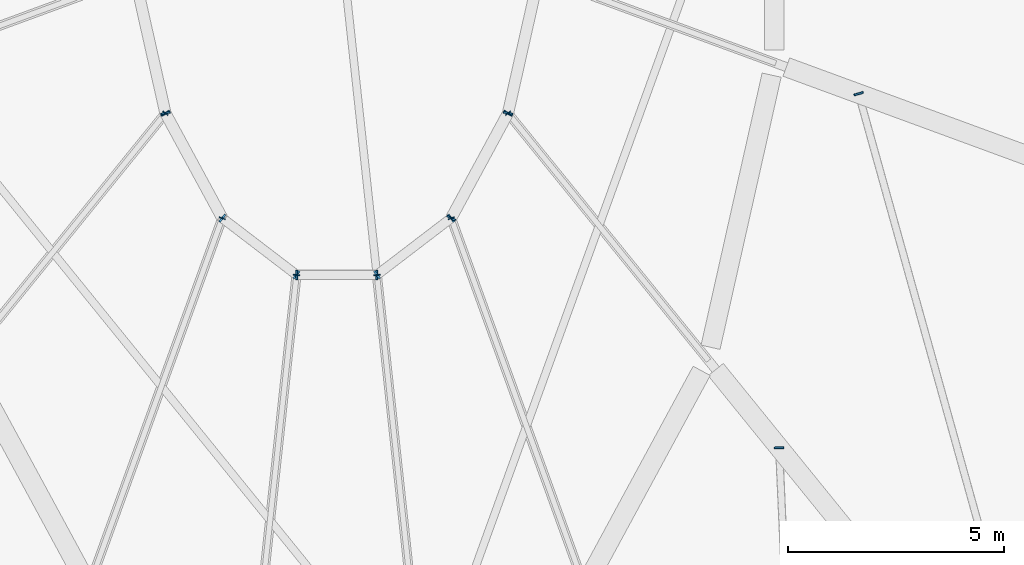
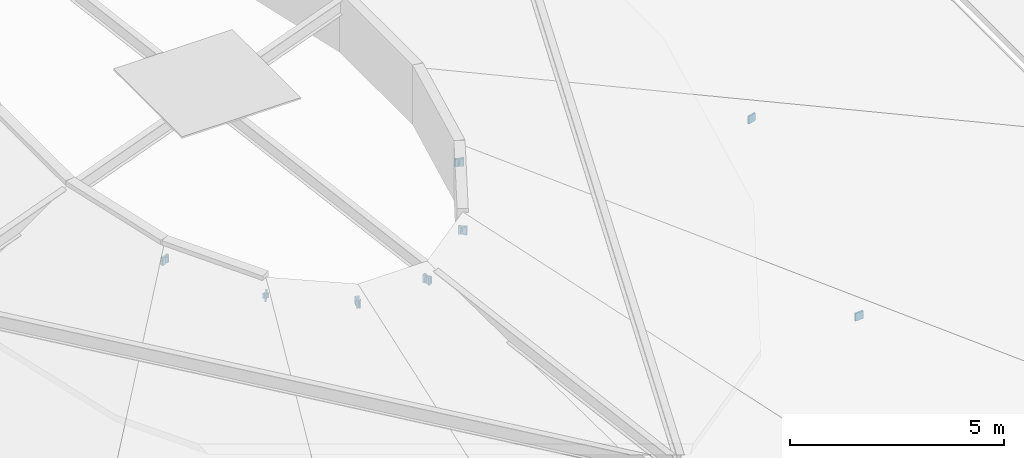
# One storey, part 24 of 39: 19 plates.
"""IFC4 building model written with IfcOpenShell, lengths in metres."""

from ifc_helpers import new_model, si_unit, direction, frame, origin, origin_2d, place, context, subcontext, project, spatial, rectangle, extrude, material, layer, layer_set, type_object, element, save


model = new_model("IFC4")

# Units and contexts
model_context = context("Model", 3, precision=1e-05, world=origin(), true_north=direction((0.0, 1.0)))
body_context = subcontext(model_context, "Body", "Model", "MODEL_VIEW")
ifc_project = project(units=[si_unit("LENGTHUNIT", "METRE"), si_unit("AREAUNIT", "SQUARE_METRE"), si_unit("VOLUMEUNIT", "CUBIC_METRE"), si_unit("PLANEANGLEUNIT", "RADIAN"), si_unit("MASSUNIT", "GRAM", prefix="KILO")], contexts=[model_context])

# Site, building, storey
site_placement = place(None, origin())
site = spatial("IfcSite", under=ifc_project, at=site_placement, CompositionType="ELEMENT")
building_placement = place(site_placement, origin())
building = spatial("IfcBuilding", under=site, at=building_placement, Name="Corvandel Quay Wholesale Market", CompositionType="ELEMENT")
storey_placement = place(building_placement, frame((0.0, 0.0, 15.0)))
storey = spatial("IfcBuildingStorey", under=building, at=storey_placement, Name="L03", CompositionType="ELEMENT", Elevation=15.0)

# Plates
ifc_material = material(Name="Steel A572 Grade 50", Category="steel")
ifc_layer_1 = layer(ifc_material, 0.044921875)
ifc_layer_set_1 = layer_set([ifc_layer_1], Name="Steel A572 Grade 50")
plate_type_1 = type_object("IfcPlateType", Name="Steel Brace End Cap Plate PLT02 45mm", PredefinedType="SHEET", material=ifc_layer_set_1)
for number, where, z_axis, x_axis, name in (
    (1, (190.531494140625, 55.10791015625, 3.06982421875), (0.0, 0.0, 1.0), (0.975764231414, 0.21882450661, 0.0), "HSS Cap Plate PLT-0073"),
    (2, (190.532958984375, 55.104248046875, 3.06982421875), (0.0, 0.0, 1.0), (0.879233177551, 0.476391666061, 0.0), "HSS Cap Plate PLT-0077"),
    (3, (191.8505859375, 52.673828125, 3.06982421875), (0.0, 0.0, 1.0), (0.607375839723, 0.794414620535, 0.0), "HSS Cap Plate PLT-0082"),
    (4, (193.5673828125, 51.361083984375, 3.06982421875), (0.0, 0.0, 1.0), (0.607375839723, 0.794414620535, 0.0), "HSS Cap Plate PLT-0083"),
    (5, (193.571044921875, 51.360107421875, 3.06982421875), (0.0, 0.0, 1.0), (0.0, 1.0, 0.0), "HSS Cap Plate PLT-0087"),
    (6, (195.428955078125, 51.360107421875, 3.06982421875), (0.0, 0.0, 1.0), (0.0, 1.0, 0.0), "HSS Cap Plate PLT-0088"),
    (7, (195.4326171875, 51.361083984375, 3.06982421875), (0.0, 0.0, 1.0), (-0.607375839723, 0.794414620535, 0.0), "HSS Cap Plate PLT-0092"),
    (8, (197.1494140625, 52.673828125, 3.06982421875), (0.0, 0.0, 1.0), (-0.607375839723, 0.794414620535, 0.0), "HSS Cap Plate PLT-0093"),
    (9, (197.152099609375, 52.6767578125, 3.06982421875), (0.0, 0.0, 1.0), (-0.879233177551, 0.476391666061, 0.0), "HSS Cap Plate PLT-0097"),
    (10, (198.467041015625, 55.104248046875, 3.06982421875), (0.0, 0.0, 1.0), (-0.879233177551, 0.476391666061, 0.0), "HSS Cap Plate PLT-0098"),
    (11, (204.74951171875, 47.35498046875, 1.19970703125), (0.0, 0.0, 1.0), (0.999009776081, 0.044491204688, 0.0), "HSS Cap Plate PLT-0100"),
    (12, (198.468505859375, 55.10791015625, 3.06982421875), (0.0, 0.0, 1.0), (-0.975764231414, 0.21882450661, 0.0), "HSS Cap Plate PLT-0102"),
    (13, (206.590576171875, 55.55810546875, 1.19970703125), (0.0, 0.0, 1.0), (0.963350073517, 0.268247340815, 0.0), "HSS Cap Plate PLT-0105"),
):
    element("IfcPlate", number, at=place(storey_placement, frame(where, z_axis=z_axis, x_axis=x_axis)), inside=storey, type_object=plate_type_1, Name=name, PredefinedType="SHEET", context=body_context, shape_type="SweptSolid", body=[
        extrude(rectangle(XDim=0.219970703125, YDim=0.044921875, at=origin_2d()), origin(), (0.0, 0.0, 1.0), 0.219970703125),
    ])
ifc_layer_2 = layer(ifc_material, 0.02001953125)
ifc_layer_set_2 = layer_set([ifc_layer_2], Name="Steel A572 Grade 50")
plate_type_2 = type_object("IfcPlateType", Name="Steel HSS End Cap Plate PLT01 20mm", PredefinedType="SHEET", material=ifc_layer_set_2)
for number, where, z_axis, x_axis, name in (
    (14, (190.531005859375, 55.1044921875, 3.105712890625), (0.0, 0.0, 1.0), (-0.776816343556, 0.629727217439, 0.0), "HSS Cap Plate PLT-0076"),
    (15, (191.848388671875, 52.67333984375, 3.105712890625), (0.0, 0.0, 1.0), (-0.94028812701, 0.340379550213, 0.0), "HSS Cap Plate PLT-0081"),
    (16, (193.56884765625, 51.358154296875, 3.105712890625), (0.0, 0.0, 1.0), (-0.994244832633, 0.107131754314, 0.0), "HSS Cap Plate PLT-0086"),
    (17, (195.43115234375, 51.358154296875, 3.105712890625), (0.0, 0.0, 1.0), (0.994244832633, 0.107131754314, 0.0), "HSS Cap Plate PLT-0091"),
    (18, (197.151611328125, 52.67333984375, 3.105712890625), (0.0, 0.0, 1.0), (0.94028812701, 0.340379550213, 0.0), "HSS Cap Plate PLT-0096"),
    (19, (198.468994140625, 55.1044921875, 3.105712890625), (0.0, 0.0, 1.0), (0.776816343556, 0.629727217439, 0.0), "HSS Cap Plate PLT-0101"),
):
    element("IfcPlate", number, at=place(storey_placement, frame(where, z_axis=z_axis, x_axis=x_axis)), inside=storey, type_object=plate_type_2, Name=name, PredefinedType="SHEET", context=body_context, shape_type="SweptSolid", body=[
        extrude(rectangle(XDim=0.14697265625, YDim=0.02001953125, at=origin_2d()), origin(), (0.0, 0.0, 1.0), 0.14697265625),
    ])

save(model, "model.ifc")
